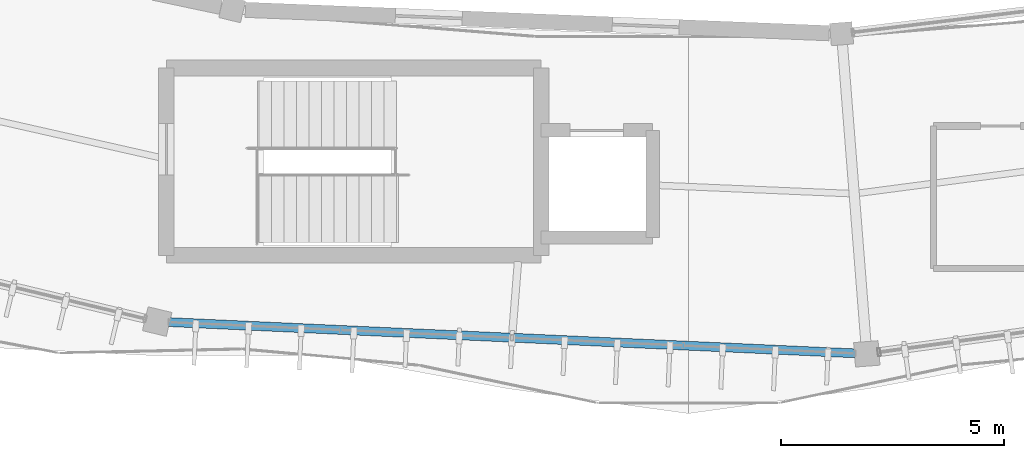
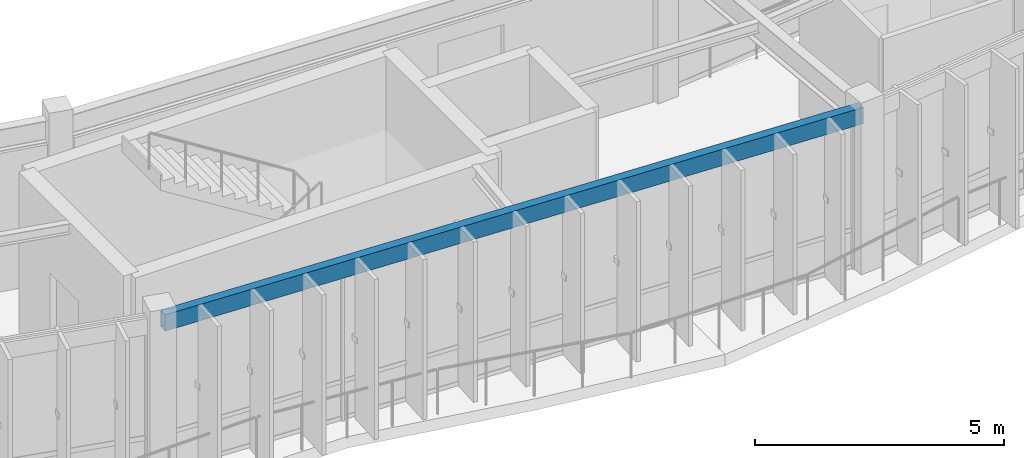
# One storey, part 15 of 79: 1 beam.
"""IFC4 building model written with IfcOpenShell, lengths in metres."""

from ifc_helpers import new_model, si_unit, direction, frame, origin, origin_2d, place, context, subcontext, project, spatial, hollow_rectangle, extrude, material, material_profile, profile_set, type_object, element, save


model = new_model("IFC4")

# Units and contexts
model_context = context("Model", 3, precision=1e-05, world=origin(), true_north=direction((0.0, 1.0)))
body_context = subcontext(model_context, "Body", "Model", "MODEL_VIEW")
ifc_project = project(units=[si_unit("LENGTHUNIT", "METRE"), si_unit("AREAUNIT", "SQUARE_METRE"), si_unit("VOLUMEUNIT", "CUBIC_METRE"), si_unit("PLANEANGLEUNIT", "RADIAN"), si_unit("MASSUNIT", "GRAM", prefix="KILO"), si_unit("THERMODYNAMICTEMPERATUREUNIT", "KELVIN"), si_unit("POWERUNIT", "WATT")], contexts=[model_context])

# Site, building, storey
site_placement = place(None, origin())
site = spatial("IfcSite", under=ifc_project, at=site_placement, CompositionType="ELEMENT")
building_placement = place(site_placement, origin())
building = spatial("IfcBuilding", under=site, at=building_placement, Name="Darbajah Civic Hall", CompositionType="ELEMENT")
storey_placement = place(building_placement, frame((0.0, 0.0, 22.199951171875)))
storey = spatial("IfcBuildingStorey", under=building, at=storey_placement, Name="L05", CompositionType="ELEMENT", Elevation=22.199951171875)

# Beam
ifc_material = material(Name="Steel S355JR", Category="steel")
ifc_material_profile = material_profile(ifc_material, hollow_rectangle(XDim=0.199951171875, YDim=0.39990234375, WallThickness=0.013916015625, at=origin_2d()), Name="RHS 400x200x14")
ifc_profile_set = profile_set([ifc_material_profile], Name="Steel S355JR")
beam_type = type_object("IfcBeamType", Name="RHS 400x200x14", PredefinedType="SPANDREL", material=ifc_profile_set)
beam_placement = place(storey_placement, frame((77.274169921875, 61.111572265625, 3.719970703125), z_axis=(0.998964928608, -0.04548704664, 0.0), x_axis=(0.04548704664, 0.998964928608, 0.0)))
element("IfcBeam", 1, at=beam_placement, inside=storey, type_object=beam_type, Name="L05 beam SP-RHS400", PredefinedType="SPANDREL", context=body_context, shape_type="SweptSolid", body=[
    extrude(hollow_rectangle(XDim=0.199951171875, YDim=0.39990234375, WallThickness=0.013916015625, at=origin_2d()), origin(), (0.0, 0.0, 1.0), 15.763671875),
])

save(model, "model.ifc")
